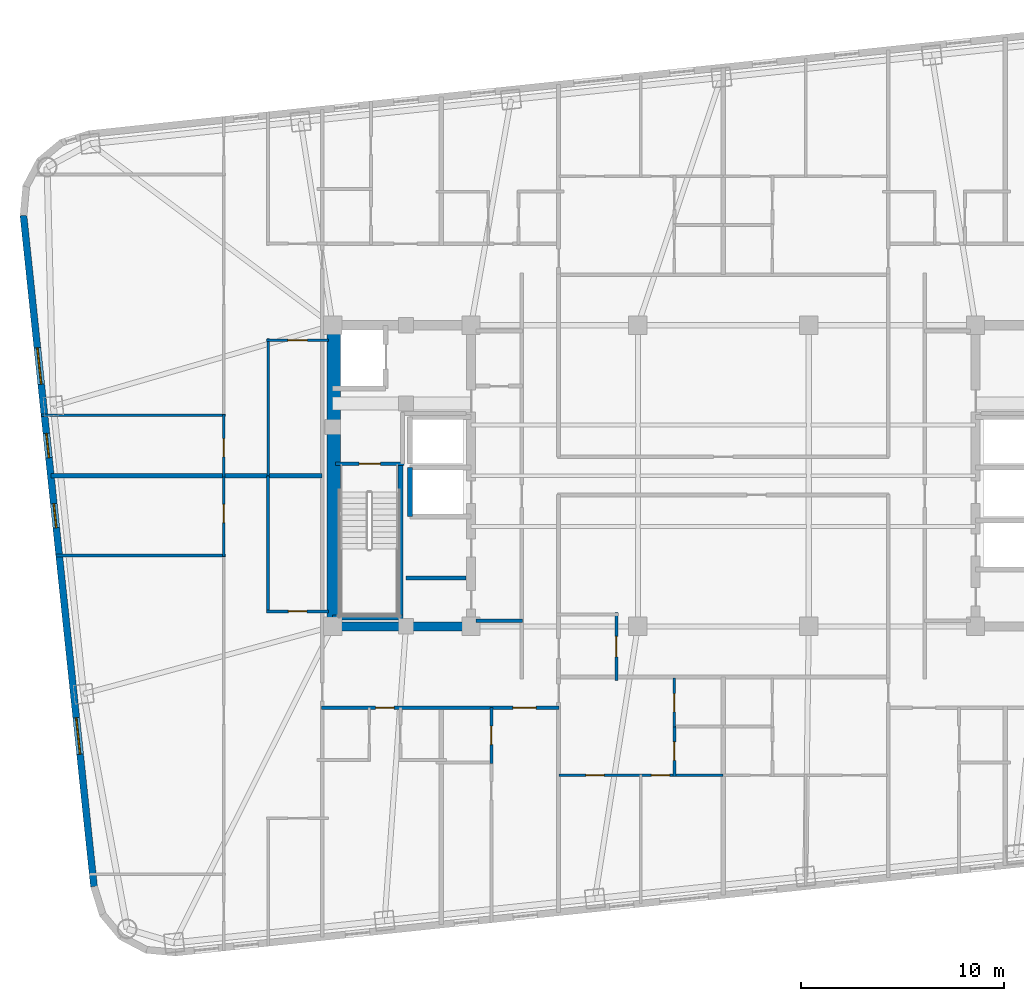
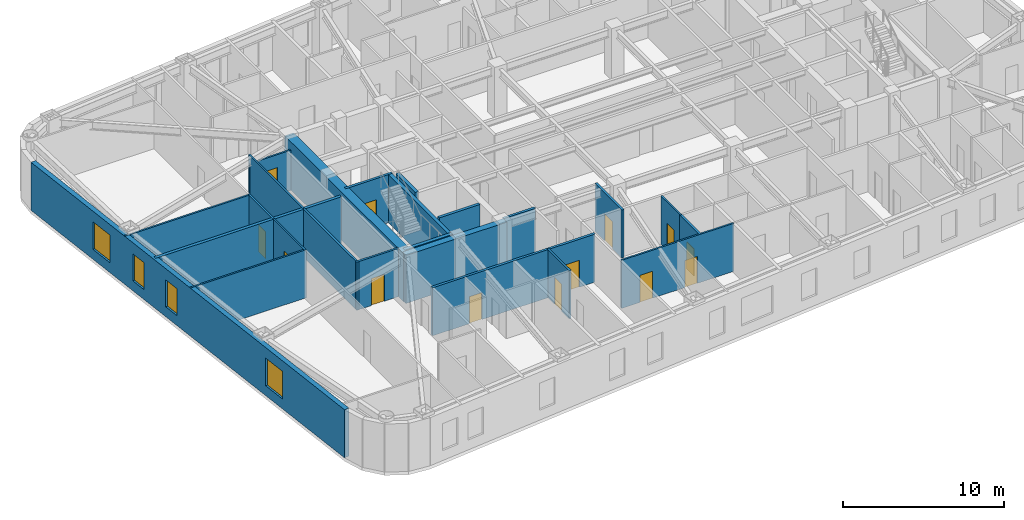
# One storey, part 3 of 12: 24 walls, 13 doors, 4 windows, 17 openings.
"""IFC4 building model written with IfcOpenShell, lengths in metres."""

from ifc_helpers import new_model, si_unit, direction, frame, frame_2d, origin, place, context, subcontext, project, spatial, rectangle, extrude, material, layer, layer_set, type_object, element, fill, save


model = new_model("IFC4")

# Units and contexts
model_context = context("Model", 3, precision=1e-05, world=origin(), true_north=direction((0.0, 1.0)))
body_context = subcontext(model_context, "Body", "Model", "MODEL_VIEW")
ifc_project = project(units=[si_unit("LENGTHUNIT", "METRE"), si_unit("AREAUNIT", "SQUARE_METRE"), si_unit("VOLUMEUNIT", "CUBIC_METRE"), si_unit("PLANEANGLEUNIT", "RADIAN"), si_unit("MASSUNIT", "GRAM", prefix="KILO")], contexts=[model_context])

# Site, building, storey
site_placement = place(None, origin())
site = spatial("IfcSite", under=ifc_project, at=site_placement, CompositionType="ELEMENT")
building_placement = place(site_placement, origin())
building = spatial("IfcBuilding", under=site, at=building_placement, Name="Voryun Gate Residences", CompositionType="ELEMENT")
storey_placement = place(building_placement, frame((0.0, 0.0, 152.10009765625)))
storey = spatial("IfcBuildingStorey", under=building, at=storey_placement, Name="L37", CompositionType="ELEMENT", Elevation=152.10009765625)

# Walls
ifc_material_1 = material(Name="Concrete C50/60", Category="concrete")
ifc_layer_1 = layer(ifc_material_1, 0.449951171875, Name="CW_CORE_450")
ifc_layer_set_1 = layer_set([ifc_layer_1], Name="Concrete C50/60")
wall_type_1 = type_object("IfcWallType", Name="CW_CORE_450", PredefinedType="SHEAR", material=ifc_layer_set_1)
wall_1_placement = place(storey_placement, frame((-19.425048828125, -7.39990234375, 0.0), z_axis=(0.0, 0.0, 1.0), x_axis=(1.0, 0.0, 0.0)))
element("IfcWall", 1, at=wall_1_placement, inside=storey, type_object=wall_type_1, Name="L37 Core shear wall CW-L37-WS", PredefinedType="SHEAR", context=body_context, shape_type="SweptSolid", body=[
    extrude(rectangle(XDim=7.25, YDim=0.449951171875, at=frame_2d((3.625, 0.0))), origin(), (0.0, 0.0, 1.0), 3.64990234375),
])
ifc_material_2 = material(Name="Concrete C60/75", Category="concrete")
ifc_layer_2 = layer(ifc_material_2, 0.64990234375, Name="CW_CORE_650")
ifc_layer_set_2 = layer_set([ifc_layer_2], Name="Concrete C60/75")
wall_type_2 = type_object("IfcWallType", Name="CW_CORE_650", PredefinedType="SHEAR", material=ifc_layer_set_2)
wall_2_placement = place(storey_placement, frame((-19.14501953125, -7.39990234375, 0.0), z_axis=(0.0, 0.0, 1.0), x_axis=(0.0, 1.0, 0.0)))
element("IfcWall", 2, at=wall_2_placement, inside=storey, type_object=wall_type_2, Name="L37 Core shear wall CW-L37-WW", PredefinedType="SHEAR", context=body_context, shape_type="SweptSolid", body=[
    extrude(rectangle(XDim=14.7998046875, YDim=0.64990234375, at=frame_2d((7.39990234375, 0.0))), origin(), (0.0, 0.0, 1.0), 3.64990234375),
])

# Wall, opening, door
ifc_material_3 = material(Name="Gypsum acoustic fireboard")
ifc_layer_3 = layer(ifc_material_3, 0.179931640625, Name="W_CORR_RATED_180")
ifc_layer_set_3 = layer_set([ifc_layer_3], Name="Gypsum acoustic fireboard")
wall_type_3 = type_object("IfcWallType", Name="W_CORR_RATED_180", PredefinedType="PARTITIONING", material=ifc_layer_set_3)
wall_3_placement = place(storey_placement, frame((-19.06005859375, 0.60009765625, 0.0), z_axis=(0.0, 0.0, 1.0), x_axis=(1.0, 0.0, 0.0)))
wall_3 = element("IfcWall", 3, at=wall_3_placement, inside=storey, type_object=wall_type_3, Name="Partition wall WP-L37-STV-W", PredefinedType="PARTITIONING", context=body_context, shape_type="SweptSolid", body=[
    extrude(rectangle(XDim=3.360107421875, YDim=0.179931640625, at=frame_2d((1.68017578125, 0.0))), origin(), (0.0, 0.0, 1.0), 3.64990234375),
])
opening_1_placement = place(wall_3_placement, frame((1.155029296875, 0.0, 0.0)))
opening_1 = element("IfcOpeningElement", 4, at=opening_1_placement, cuts=wall_3, Name="Opening D-FD60-1", PredefinedType="OPENING", context=body_context, shape_type="SweptSolid", body=[
    extrude(rectangle(XDim=1.050048828125, YDim=2.050048828125, at=frame_2d((0.52490234375, 1.02490234375))), frame((0.0, 0.099853515625, 0.0), z_axis=(0.0, -1.0, 0.0), x_axis=(1.0, 0.0, 0.0)), (0.0, 0.0, 1.0), 0.199951171875),
])
ifc_material_4 = material(Name="Painted steel fire door", Category="steel")
door_type_1 = type_object("IfcDoorType", Name="DR_FD60_STAIR_1050", OperationType="NOTDEFINED", PredefinedType="DOOR", material=ifc_material_4)
door_1_placement = place(opening_1_placement, origin())
door_1 = element("IfcDoor", 5, at=door_1_placement, inside=storey, type_object=door_type_1, Name="Door DR-L37-ST-W", OperationType="SINGLE_SWING_LEFT", OverallHeight=2.050048828125, OverallWidth=1.050048828125, PredefinedType="DOOR", context=body_context, shape_type="SweptSolid", body=[
    extrude(rectangle(XDim=1.050048828125, YDim=2.050048828125, at=frame_2d((0.52490234375, 1.02490234375))), frame((0.0, 0.02490234375, 0.0), z_axis=(0.0, -1.0, 0.0), x_axis=(1.0, 0.0, 0.0)), (0.0, 0.0, 1.0), 0.050048828125),
])
fill(opening_1, door_1)

# Wall
wall_4_placement = place(storey_placement, frame((-12.14990234375, -7.1201171875, 0.0), z_axis=(0.0, 0.0, 1.0), x_axis=(1.0, 0.0, 0.0)))
element("IfcWall", 6, at=wall_4_placement, inside=storey, type_object=wall_type_3, Name="Partition wall WP-L37-PLBS-W", PredefinedType="PARTITIONING", context=body_context, shape_type="SweptSolid", body=[
    extrude(rectangle(XDim=2.27001953125, YDim=0.179931640625, at=frame_2d((1.135009765625, 0.0))), origin(), (0.0, 0.0, 1.0), 3.64990234375),
])

# Wall, openings, doors
wall_5_placement = place(storey_placement, frame((-19.75, -11.39990234375, 0.0), z_axis=(0.0, 0.0, 1.0), x_axis=(1.0, 0.0, 0.0)))
wall_5 = element("IfcWall", 7, at=wall_5_placement, inside=storey, type_object=wall_type_3, Name="Partition wall WP-L37-SCORR-W", PredefinedType="PARTITIONING", context=body_context, shape_type="SweptSolid", body=[
    extrude(rectangle(XDim=11.669921875, YDim=0.179931640625, at=frame_2d((5.8349609375, 0.0))), origin(), (0.0, 0.0, 1.0), 3.64990234375),
])
opening_2_placement = place(wall_5_placement, frame((2.66357421875, 0.0, 0.0)))
opening_2 = element("IfcOpeningElement", 8, at=opening_2_placement, cuts=wall_5, Name="Opening D-INT-2", PredefinedType="OPENING", context=body_context, shape_type="SweptSolid", body=[
    extrude(rectangle(XDim=0.89990234375, YDim=2.050048828125, at=frame_2d((0.449951171875, 1.02490234375))), frame((0.0, 0.099853515625, 0.0), z_axis=(0.0, -1.0, 0.0), x_axis=(1.0, 0.0, 0.0)), (0.0, 0.0, 1.0), 0.199951171875),
])
opening_3_placement = place(wall_5_placement, frame((9.404052734375, 0.0, 0.0)))
opening_3 = element("IfcOpeningElement", 9, at=opening_3_placement, cuts=wall_5, Name="Opening D-UNIT-1", PredefinedType="OPENING", context=body_context, shape_type="SweptSolid", body=[
    extrude(rectangle(XDim=1.14990234375, YDim=2.050048828125, at=frame_2d((0.574951171875, 1.02490234375))), frame((0.0, 0.099853515625, 0.0), z_axis=(0.0, -1.0, 0.0), x_axis=(1.0, 0.0, 0.0)), (0.0, 0.0, 1.0), 0.199951171875),
])
ifc_material_5 = material(Name="Architectural oak veneer")
door_type_2 = type_object("IfcDoorType", Name="DR_INT_BATH_900", OperationType="NOTDEFINED", PredefinedType="DOOR", material=ifc_material_5)
door_2_placement = place(opening_2_placement, origin())
door_2 = element("IfcDoor", 10, at=door_2_placement, inside=storey, type_object=door_type_2, Name="Door DR-L37-SENT-1", OperationType="SINGLE_SWING_RIGHT", OverallHeight=2.050048828125, OverallWidth=0.89990234375, PredefinedType="DOOR", context=body_context, shape_type="SweptSolid", body=[
    extrude(rectangle(XDim=0.89990234375, YDim=2.050048828125, at=frame_2d((0.449951171875, 1.02490234375))), frame((0.0, 0.02490234375, 0.0), z_axis=(0.0, -1.0, 0.0), x_axis=(1.0, 0.0, 0.0)), (0.0, 0.0, 1.0), 0.050048828125),
])
fill(opening_2, door_2)
ifc_material_6 = material(Name="Armoured timber-clad fire door", Category="wood")
door_type_3 = type_object("IfcDoorType", Name="DR_UNIT_ENTRY_1150", OperationType="NOTDEFINED", PredefinedType="DOOR", material=ifc_material_6)
door_3_placement = place(opening_3_placement, origin())
door_3 = element("IfcDoor", 11, at=door_3_placement, inside=storey, type_object=door_type_3, Name="Door DR-L37-SENT-2", OperationType="SINGLE_SWING_LEFT", OverallHeight=2.050048828125, OverallWidth=1.14990234375, PredefinedType="DOOR", context=body_context, shape_type="SweptSolid", body=[
    extrude(rectangle(XDim=1.14990234375, YDim=2.050048828125, at=frame_2d((0.574951171875, 1.02490234375))), frame((0.0, 0.02490234375, 0.0), z_axis=(0.0, -1.0, 0.0), x_axis=(1.0, 0.0, 0.0)), (0.0, 0.0, 1.0), 0.050048828125),
])
fill(opening_3, door_3)

# Wall, openings, windows
ifc_material_7 = material(Name="Charcoal terracotta masonry", Category="masonry")
ifc_layer_4 = layer(ifc_material_7, 0.340087890625, Name="W_EXT_TERRACOTTA_340")
ifc_layer_set_4 = layer_set([ifc_layer_4], Name="Charcoal terracotta masonry")
wall_type_4 = type_object("IfcWallType", Name="W_EXT_TERRACOTTA_340", PredefinedType="ELEMENTEDWALL", material=ifc_layer_set_4)
wall_6_placement = place(storey_placement, frame((-30.934326171875, -20.189697265625, 0.0), z_axis=(0.0, 0.0, 1.0), x_axis=(-0.10452691388, 0.994522058214, 0.0)))
wall_6 = element("IfcWall", 12, at=wall_6_placement, inside=storey, type_object=wall_type_4, Name="Exterior wall WEXT-L37-06", PredefinedType="ELEMENTEDWALL", context=body_context, shape_type="SweptSolid", body=[
    extrude(rectangle(XDim=33.16650390625, YDim=0.340087890625, at=frame_2d((16.583251953125, 0.0))), origin(), (0.0, 0.0, 1.0), 3.64990234375),
])
opening_4_placement = place(wall_6_placement, frame((6.54150390625, 0.0, 0.75)))
opening_4 = element("IfcOpeningElement", 13, at=opening_4_placement, cuts=wall_6, Name="Opening WN1", PredefinedType="OPENING", context=body_context, shape_type="SweptSolid", body=[
    extrude(rectangle(XDim=1.800048828125, YDim=2.10009765625, at=frame_2d((0.89990234375, 1.050048828125))), frame((0.0, 0.179931640625, 0.0), z_axis=(0.0, -1.0, 0.0), x_axis=(1.0, 0.0, 0.0)), (0.0, 0.0, 1.0), 0.360107421875),
])
opening_5_placement = place(wall_6_placement, frame((24.824951171875, 0.0, 0.75)))
opening_5 = element("IfcOpeningElement", 14, at=opening_5_placement, cuts=wall_6, Name="Opening WN1", PredefinedType="OPENING", context=body_context, shape_type="SweptSolid", body=[
    extrude(rectangle(XDim=1.800048828125, YDim=2.10009765625, at=frame_2d((0.89990234375, 1.050048828125))), frame((0.0, 0.179931640625, 0.0), z_axis=(0.0, -1.0, 0.0), x_axis=(1.0, 0.0, 0.0)), (0.0, 0.0, 1.0), 0.360107421875),
])
opening_6_placement = place(wall_6_placement, frame((17.728759765625, 0.0, 0.75)))
opening_6 = element("IfcOpeningElement", 15, at=opening_6_placement, cuts=wall_6, Name="Opening WN6", PredefinedType="OPENING", context=body_context, shape_type="SweptSolid", body=[
    extrude(rectangle(XDim=1.199951171875, YDim=2.050048828125, at=frame_2d((0.60009765625, 1.02490234375))), frame((0.0, 0.179931640625, 0.0), z_axis=(0.0, -1.0, 0.0), x_axis=(1.0, 0.0, 0.0)), (0.0, 0.0, 1.0), 0.360107421875),
])
opening_7_placement = place(wall_6_placement, frame((21.194091796875, 0.0, 0.75)))
opening_7 = element("IfcOpeningElement", 16, at=opening_7_placement, cuts=wall_6, Name="Opening WN6", PredefinedType="OPENING", context=body_context, shape_type="SweptSolid", body=[
    extrude(rectangle(XDim=1.199951171875, YDim=2.050048828125, at=frame_2d((0.60009765625, 1.02490234375))), frame((0.0, 0.179931640625, 0.0), z_axis=(0.0, -1.0, 0.0), x_axis=(1.0, 0.0, 0.0)), (0.0, 0.0, 1.0), 0.360107421875),
])
ifc_material_8 = material(Name="Laminated low-E glass", Category="glass")
window_type_1 = type_object("IfcWindowType", Name="WN_POD_SLOT_1200", PartitioningType="SINGLE_PANEL", PredefinedType="WINDOW", material=ifc_material_8)
window_1_placement = place(opening_6_placement, origin())
window_1 = element("IfcWindow", 17, at=window_1_placement, inside=storey, type_object=window_type_1, Name="Window WN-L37-DWFIX-21", OverallHeight=2.050048828125, OverallWidth=1.199951171875, PartitioningType="SINGLE_PANEL", PredefinedType="WINDOW", context=body_context, shape_type="SweptSolid", body=[
    extrude(rectangle(XDim=1.199951171875, YDim=2.050048828125, at=frame_2d((0.60009765625, 1.02490234375))), frame((0.0, 0.030029296875, 0.0), z_axis=(0.0, -1.0, 0.0), x_axis=(1.0, 0.0, 0.0)), (0.0, 0.0, 1.0), 0.06005859375),
])
fill(opening_6, window_1)
window_2_placement = place(opening_7_placement, origin())
window_2 = element("IfcWindow", 18, at=window_2_placement, inside=storey, type_object=window_type_1, Name="Window WN-L37-DWFIX-25", OverallHeight=2.050048828125, OverallWidth=1.199951171875, PartitioningType="SINGLE_PANEL", PredefinedType="WINDOW", context=body_context, shape_type="SweptSolid", body=[
    extrude(rectangle(XDim=1.199951171875, YDim=2.050048828125, at=frame_2d((0.60009765625, 1.02490234375))), frame((0.0, 0.030029296875, 0.0), z_axis=(0.0, -1.0, 0.0), x_axis=(1.0, 0.0, 0.0)), (0.0, 0.0, 1.0), 0.06005859375),
])
fill(opening_7, window_2)
ifc_material_9 = material(Name="Laminated low-E glass", Category="glass")
window_type_2 = type_object("IfcWindowType", Name="WN_RES_PUNCH_1800", PartitioningType="SINGLE_PANEL", PredefinedType="WINDOW", material=ifc_material_9)
window_3_placement = place(opening_4_placement, origin())
window_3 = element("IfcWindow", 19, at=window_3_placement, inside=storey, type_object=window_type_2, Name="Window WN-WEXT-L37-06-01", OverallHeight=2.10009765625, OverallWidth=1.800048828125, PartitioningType="SINGLE_PANEL", PredefinedType="WINDOW", context=body_context, shape_type="SweptSolid", body=[
    extrude(rectangle(XDim=1.800048828125, YDim=2.10009765625, at=frame_2d((0.89990234375, 1.050048828125))), frame((0.0, 0.030029296875, 0.0), z_axis=(0.0, -1.0, 0.0), x_axis=(1.0, 0.0, 0.0)), (0.0, 0.0, 1.0), 0.06005859375),
])
fill(opening_4, window_3)
window_4_placement = place(opening_5_placement, origin())
window_4 = element("IfcWindow", 20, at=window_4_placement, inside=storey, type_object=window_type_2, Name="Window WN-WEXT-L37-06-02", OverallHeight=2.10009765625, OverallWidth=1.800048828125, PartitioningType="SINGLE_PANEL", PredefinedType="WINDOW", context=body_context, shape_type="SweptSolid", body=[
    extrude(rectangle(XDim=1.800048828125, YDim=2.10009765625, at=frame_2d((0.89990234375, 1.050048828125))), frame((0.0, 0.030029296875, 0.0), z_axis=(0.0, -1.0, 0.0), x_axis=(1.0, 0.0, 0.0)), (0.0, 0.0, 1.0), 0.06005859375),
])
fill(opening_5, window_4)

# Walls
ifc_material_10 = material(Name="Concrete C40/50", Category="concrete")
ifc_layer_5 = layer(ifc_material_10, 0.199951171875, Name="W_FF_LOBBY_200")
ifc_layer_set_5 = layer_set([ifc_layer_5], Name="Concrete C40/50")
wall_type_5 = type_object("IfcWallType", Name="W_FF_LOBBY_200", PredefinedType="PARTITIONING", material=ifc_layer_set_5)
wall_7_placement = place(storey_placement, frame((-15.60009765625, -5.030029296875, 0.0), z_axis=(0.0, 0.0, 1.0), x_axis=(1.0, 0.0, 0.0)))
element("IfcWall", 21, at=wall_7_placement, inside=storey, type_object=wall_type_5, Name="Partition wall WP-L37-RECWB", PredefinedType="PARTITIONING", context=body_context, shape_type="SweptSolid", body=[
    extrude(rectangle(XDim=2.940185546875, YDim=0.199951171875, at=frame_2d((1.47021484375, 0.0))), origin(), (0.0, 0.0, 1.0), 3.64990234375),
])
ifc_material_11 = material(Name="Concrete C40/50", Category="concrete")
ifc_layer_6 = layer(ifc_material_11, 0.219970703125, Name="W_PARTY_ACOUSTIC_220")
ifc_layer_set_6 = layer_set([ifc_layer_6], Name="Concrete C40/50")
wall_type_6 = type_object("IfcWallType", Name="W_PARTY_ACOUSTIC_220", PredefinedType="PARTITIONING", material=ifc_layer_set_6)
wall_8_placement = place(storey_placement, frame((-19.719970703125, 0.0, 0.0), z_axis=(0.0, 0.0, 1.0), x_axis=(-1.0, 0.0, 0.0)))
element("IfcWall", 22, at=wall_8_placement, inside=storey, type_object=wall_type_6, Name="Partition wall WP-L37-WPTY", PredefinedType="PARTITIONING", context=body_context, shape_type="SweptSolid", body=[
    extrude(rectangle(XDim=13.33642578125, YDim=0.219970703125, at=frame_2d((6.668212890625, 0.0))), origin(), (0.0, 0.0, 1.0), 3.64990234375),
])
ifc_material_12 = material(Name="Concrete C50/60", Category="concrete")
ifc_layer_7 = layer(ifc_material_12, 0.25, Name="W_SHAFT_RC250")
ifc_layer_set_7 = layer_set([ifc_layer_7], Name="Concrete C50/60")
wall_type_7 = type_object("IfcWallType", Name="W_SHAFT_RC250", PredefinedType="SOLIDWALL", material=ifc_layer_set_7)
wall_9_placement = place(storey_placement, frame((-15.860107421875, -7.0849609375, 0.0), z_axis=(0.0, 0.0, 1.0), x_axis=(0.0, 1.0, 0.0)))
element("IfcWall", 23, at=wall_9_placement, inside=storey, type_object=wall_type_7, Name="L37 Stair shaft structural wall W-STR", PredefinedType="SOLIDWALL", context=body_context, shape_type="SweptSolid", body=[
    extrude(rectangle(XDim=7.68505859375, YDim=0.25, at=frame_2d((3.842529296875, 0.0))), origin(), (0.0, 0.0, 1.0), 3.64990234375),
])
wall_10_placement = place(storey_placement, frame((-19.199951171875, -6.965087890625, 0.0), z_axis=(0.0, 0.0, 1.0), x_axis=(1.0, 0.0, 0.0)))
element("IfcWall", 24, at=wall_10_placement, inside=storey, type_object=wall_type_7, Name="L37 Stair shaft structural wall W-STS", PredefinedType="SOLIDWALL", context=body_context, shape_type="SweptSolid", body=[
    extrude(rectangle(XDim=3.4599609375, YDim=0.25, at=frame_2d((1.72998046875, 0.0))), origin(), (0.0, 0.0, 1.0), 3.64990234375),
])
wall_11_placement = place(storey_placement, frame((-15.39990234375, 0.39990234375, 0.0), z_axis=(0.0, 0.0, 1.0), x_axis=(0.0, -1.0, 0.0)))
element("IfcWall", 25, at=wall_11_placement, inside=storey, type_object=wall_type_7, Name="Lift shaft wall WSH-L37-EL-P4-W", PredefinedType="SOLIDWALL", context=body_context, shape_type="SweptSolid", body=[
    extrude(rectangle(XDim=2.39990234375, YDim=0.25, at=frame_2d((1.199951171875, 0.0))), origin(), (0.0, 0.0, 1.0), 3.64990234375),
])

# Wall, openings, doors
ifc_material_13 = material(Name="Gypsum acoustic partition")
ifc_layer_8 = layer(ifc_material_13, 0.125, Name="W_UNIT_PART_125")
ifc_layer_set_8 = layer_set([ifc_layer_8], Name="Gypsum acoustic partition")
wall_type_8 = type_object("IfcWallType", Name="W_UNIT_PART_125", PredefinedType="PARTITIONING", material=ifc_layer_set_8)
wall_12_placement = place(storey_placement, frame((-8.080078125, -14.72998046875, 0.0), z_axis=(0.0, 0.0, 1.0), x_axis=(1.0, 0.0, 0.0)))
wall_12 = element("IfcWall", 26, at=wall_12_placement, inside=storey, type_object=wall_type_8, Name="Partition wall WP-L37-SC1-HZ", PredefinedType="PARTITIONING", context=body_context, shape_type="SweptSolid", body=[
    extrude(rectangle(XDim=8.06005859375, YDim=0.125, at=frame_2d((4.030029296875, 0.0))), origin(), (0.0, 0.0, 1.0), 3.64990234375),
])
opening_8_placement = place(wall_12_placement, frame((1.3232421875, 0.0, 0.0)))
opening_8 = element("IfcOpeningElement", 27, at=opening_8_placement, cuts=wall_12, Name="Opening D-INT-2", PredefinedType="OPENING", context=body_context, shape_type="SweptSolid", body=[
    extrude(rectangle(XDim=0.89990234375, YDim=2.050048828125, at=frame_2d((0.449951171875, 1.02490234375))), frame((0.0, 0.072509765625, 0.0), z_axis=(0.0, -1.0, 0.0), x_axis=(1.0, 0.0, 0.0)), (0.0, 0.0, 1.0), 0.14501953125),
])
opening_9_placement = place(wall_12_placement, frame((4.547119140625, 0.0, 0.0)))
opening_9 = element("IfcOpeningElement", 28, at=opening_9_placement, cuts=wall_12, Name="Opening D-INT-2", PredefinedType="OPENING", context=body_context, shape_type="SweptSolid", body=[
    extrude(rectangle(XDim=0.89990234375, YDim=2.050048828125, at=frame_2d((0.449951171875, 1.02490234375))), frame((0.0, 0.072509765625, 0.0), z_axis=(0.0, -1.0, 0.0), x_axis=(1.0, 0.0, 0.0)), (0.0, 0.0, 1.0), 0.14501953125),
])
door_4_placement = place(opening_8_placement, origin())
door_4 = element("IfcDoor", 29, at=door_4_placement, inside=storey, type_object=door_type_2, Name="Door DR-L37-SC1-DMB", OperationType="SINGLE_SWING_LEFT", OverallHeight=2.050048828125, OverallWidth=0.89990234375, PredefinedType="DOOR", context=body_context, shape_type="SweptSolid", body=[
    extrude(rectangle(XDim=0.89990234375, YDim=2.050048828125, at=frame_2d((0.449951171875, 1.02490234375))), frame((0.0, 0.02490234375, 0.0), z_axis=(0.0, -1.0, 0.0), x_axis=(1.0, 0.0, 0.0)), (0.0, 0.0, 1.0), 0.050048828125),
])
fill(opening_8, door_4)
door_5_placement = place(opening_9_placement, origin())
door_5 = element("IfcDoor", 30, at=door_5_placement, inside=storey, type_object=door_type_2, Name="Door DR-L37-SC1-DBD2", OperationType="SINGLE_SWING_RIGHT", OverallHeight=2.050048828125, OverallWidth=0.89990234375, PredefinedType="DOOR", context=body_context, shape_type="SweptSolid", body=[
    extrude(rectangle(XDim=0.89990234375, YDim=2.050048828125, at=frame_2d((0.449951171875, 1.02490234375))), frame((0.0, 0.02490234375, 0.0), z_axis=(0.0, -1.0, 0.0), x_axis=(1.0, 0.0, 0.0)), (0.0, 0.0, 1.0), 0.050048828125),
])
fill(opening_9, door_5)

# Wall, opening, door
wall_13_placement = place(storey_placement, frame((-2.409912109375, -12.360107421875, 0.0), z_axis=(0.0, 0.0, 1.0), x_axis=(0.0, 1.0, 0.0)))
wall_13 = element("IfcWall", 31, at=wall_13_placement, inside=storey, type_object=wall_type_8, Name="Partition wall WP-L37-SC1-VK1", PredefinedType="PARTITIONING", context=body_context, shape_type="SweptSolid", body=[
    extrude(rectangle(XDim=2.41015625, YDim=0.125, at=frame_2d((1.205078125, 0.0))), origin(), (0.0, 0.0, 1.0), 3.64990234375),
])
opening_10_placement = place(wall_13_placement, frame((0.7548828125, 0.0, 0.0)))
opening_10 = element("IfcOpeningElement", 32, at=opening_10_placement, cuts=wall_13, Name="Opening D-INT-2", PredefinedType="OPENING", context=body_context, shape_type="SweptSolid", body=[
    extrude(rectangle(XDim=0.89990234375, YDim=2.050048828125, at=frame_2d((0.449951171875, 1.02490234375))), frame((0.0, 0.072509765625, 0.0), z_axis=(0.0, -1.0, 0.0), x_axis=(1.0, 0.0, 0.0)), (0.0, 0.0, 1.0), 0.14501953125),
])
door_6_placement = place(opening_10_placement, origin())
door_6 = element("IfcDoor", 33, at=door_6_placement, inside=storey, type_object=door_type_2, Name="Door DR-L37-SC1-DK", OperationType="SINGLE_SWING_LEFT", OverallHeight=2.050048828125, OverallWidth=0.89990234375, PredefinedType="DOOR", context=body_context, shape_type="SweptSolid", body=[
    extrude(rectangle(XDim=0.89990234375, YDim=2.050048828125, at=frame_2d((0.449951171875, 1.02490234375))), frame((0.0, 0.02490234375, 0.0), z_axis=(0.0, -1.0, 0.0), x_axis=(1.0, 0.0, 0.0)), (0.0, 0.0, 1.0), 0.050048828125),
])
fill(opening_10, door_6)

# Wall
wall_14_placement = place(storey_placement, frame((-32.79541015625, -3.91796875, 0.0), z_axis=(0.0, 0.0, 1.0), x_axis=(1.0, 0.0, 0.0)))
element("IfcWall", 34, at=wall_14_placement, inside=storey, type_object=wall_type_8, Name="Partition wall WP-L37-W1-OH2", PredefinedType="PARTITIONING", context=body_context, shape_type="SweptSolid", body=[
    extrude(rectangle(XDim=8.325439453125, YDim=0.125, at=frame_2d((4.16259765625, 0.0))), origin(), (0.0, 0.0, 1.0), 3.64990234375),
])

# Wall, opening, door
wall_15_placement = place(storey_placement, frame((-24.550048828125, -3.968017578125, 0.0), z_axis=(0.0, 0.0, 1.0), x_axis=(0.0, 1.0, 0.0)))
wall_15 = element("IfcWall", 35, at=wall_15_placement, inside=storey, type_object=wall_type_8, Name="Partition wall WP-L37-W1-OVX3", PredefinedType="PARTITIONING", context=body_context, shape_type="SweptSolid", body=[
    extrude(rectangle(XDim=4.030517578125, YDim=0.125, at=frame_2d((2.01513671875, 0.0))), origin(), (0.0, 0.0, 1.0), 3.64990234375),
])
opening_11_placement = place(wall_15_placement, frame((1.6640625, 0.0, 0.0)))
opening_11 = element("IfcOpeningElement", 36, at=opening_11_placement, cuts=wall_15, Name="Opening D-INT-2", PredefinedType="OPENING", context=body_context, shape_type="SweptSolid", body=[
    extrude(rectangle(XDim=0.89990234375, YDim=2.050048828125, at=frame_2d((0.449951171875, 1.02490234375))), frame((0.0, 0.072509765625, 0.0), z_axis=(0.0, -1.0, 0.0), x_axis=(1.0, 0.0, 0.0)), (0.0, 0.0, 1.0), 0.14501953125),
])
door_7_placement = place(opening_11_placement, origin())
door_7 = element("IfcDoor", 37, at=door_7_placement, inside=storey, type_object=door_type_2, Name="Door DR-L37-W1-DMB", OperationType="SINGLE_SWING_LEFT", OverallHeight=2.050048828125, OverallWidth=0.89990234375, PredefinedType="DOOR", context=body_context, shape_type="SweptSolid", body=[
    extrude(rectangle(XDim=0.89990234375, YDim=2.050048828125, at=frame_2d((0.449951171875, 1.02490234375))), frame((0.0, 0.02490234375, 0.0), z_axis=(0.0, -1.0, 0.0), x_axis=(1.0, 0.0, 0.0)), (0.0, 0.0, 1.0), 0.050048828125),
])
fill(opening_11, door_7)

# Wall
wall_16_placement = place(storey_placement, frame((-33.519775390625, 2.97509765625, 0.0), z_axis=(0.0, 0.0, 1.0), x_axis=(1.0, 0.0, 0.0)))
element("IfcWall", 38, at=wall_16_placement, inside=storey, type_object=wall_type_8, Name="Partition wall WP-L37-W2-OH1", PredefinedType="PARTITIONING", context=body_context, shape_type="SweptSolid", body=[
    extrude(rectangle(XDim=9.0498046875, YDim=0.125, at=frame_2d((4.52490234375, 0.0))), origin(), (0.0, 0.0, 1.0), 3.64990234375),
])

# Wall, opening, door
wall_17_placement = place(storey_placement, frame((-24.550048828125, -0.0625, 0.0), z_axis=(0.0, 0.0, 1.0), x_axis=(0.0, 1.0, 0.0)))
wall_17 = element("IfcWall", 39, at=wall_17_placement, inside=storey, type_object=wall_type_8, Name="Partition wall WP-L37-W2-OVX1", PredefinedType="PARTITIONING", context=body_context, shape_type="SweptSolid", body=[
    extrude(rectangle(XDim=3.08740234375, YDim=0.125, at=frame_2d((1.543701171875, 0.0))), origin(), (0.0, 0.0, 1.0), 3.64990234375),
])
opening_12_placement = place(wall_17_placement, frame((0.9951171875, 0.0, 0.0)))
opening_12 = element("IfcOpeningElement", 40, at=opening_12_placement, cuts=wall_17, Name="Opening D-INT-2", PredefinedType="OPENING", context=body_context, shape_type="SweptSolid", body=[
    extrude(rectangle(XDim=0.89990234375, YDim=2.050048828125, at=frame_2d((0.449951171875, 1.02490234375))), frame((0.0, 0.072509765625, 0.0), z_axis=(0.0, -1.0, 0.0), x_axis=(1.0, 0.0, 0.0)), (0.0, 0.0, 1.0), 0.14501953125),
])
door_8_placement = place(opening_12_placement, origin())
door_8 = element("IfcDoor", 41, at=door_8_placement, inside=storey, type_object=door_type_2, Name="Door DR-L37-W2-DBD2", OperationType="SINGLE_SWING_LEFT", OverallHeight=2.050048828125, OverallWidth=0.89990234375, PredefinedType="DOOR", context=body_context, shape_type="SweptSolid", body=[
    extrude(rectangle(XDim=0.89990234375, YDim=2.050048828125, at=frame_2d((0.449951171875, 1.02490234375))), frame((0.0, 0.02490234375, 0.0), z_axis=(0.0, -1.0, 0.0), x_axis=(1.0, 0.0, 0.0)), (0.0, 0.0, 1.0), 0.050048828125),
])
fill(opening_12, door_8)

wall_18_placement = place(storey_placement, frame((-22.449951171875, 6.659912109375, 0.0), z_axis=(0.0, 0.0, 1.0), x_axis=(1.0, 0.0, 0.0)))
wall_18 = element("IfcWall", 42, at=wall_18_placement, inside=storey, type_object=wall_type_8, Name="Partition wall WP-L37-W2-IKA", PredefinedType="PARTITIONING", context=body_context, shape_type="SweptSolid", body=[
    extrude(rectangle(XDim=3.050048828125, YDim=0.125, at=frame_2d((1.52490234375, 0.0))), origin(), (0.0, 0.0, 1.0), 3.039794921875),
])
opening_13_placement = place(wall_18_placement, frame((1.050048828125, 0.0, 0.0)))
opening_13 = element("IfcOpeningElement", 43, at=opening_13_placement, cuts=wall_18, Name="Opening D-INT-1", PredefinedType="OPENING", context=body_context, shape_type="SweptSolid", body=[
    extrude(rectangle(XDim=0.949951171875, YDim=2.050048828125, at=frame_2d((0.47509765625, 1.02490234375))), frame((0.0, 0.072509765625, 0.0), z_axis=(0.0, -1.0, 0.0), x_axis=(1.0, 0.0, 0.0)), (0.0, 0.0, 1.0), 0.14501953125),
])
ifc_material_14 = material(Name="Architectural oak veneer")
door_type_4 = type_object("IfcDoorType", Name="DR_INT_ROOM_950", OperationType="NOTDEFINED", PredefinedType="DOOR", material=ifc_material_14)
door_9_placement = place(opening_13_placement, origin())
door_9 = element("IfcDoor", 44, at=door_9_placement, inside=storey, type_object=door_type_4, Name="Door DR-L37-W2-DK", OperationType="SINGLE_SWING_LEFT", OverallHeight=2.050048828125, OverallWidth=0.949951171875, PredefinedType="DOOR", context=body_context, shape_type="SweptSolid", body=[
    extrude(rectangle(XDim=0.949951171875, YDim=2.050048828125, at=frame_2d((0.47509765625, 1.02490234375))), frame((0.0, 0.02490234375, 0.0), z_axis=(0.0, -1.0, 0.0), x_axis=(1.0, 0.0, 0.0)), (0.0, 0.0, 1.0), 0.050048828125),
])
fill(opening_13, door_9)

# Wall
wall_19_placement = place(storey_placement, frame((-22.3701171875, 0.02001953125, 0.0), z_axis=(0.0, 0.0, 1.0), x_axis=(0.0, 1.0, 0.0)))
element("IfcWall", 45, at=wall_19_placement, inside=storey, type_object=wall_type_8, Name="Partition wall WP-L37-W2-VTA", PredefinedType="PARTITIONING", context=body_context, shape_type="SweptSolid", body=[
    extrude(rectangle(XDim=6.719970703125, YDim=0.125, at=frame_2d((3.35986328125, 0.0))), origin(), (0.0, 0.0, 1.0), 3.64990234375),
])

# Wall, opening, door
ifc_material_15 = material(Name="Gypsum moisture-resistant partition")
ifc_layer_9 = layer(ifc_material_15, 0.14990234375, Name="W_WET_PLUMB_150")
ifc_layer_set_9 = layer_set([ifc_layer_9], Name="Gypsum moisture-resistant partition")
wall_type_9 = type_object("IfcWallType", Name="W_WET_PLUMB_150", PredefinedType="PLUMBINGWALL", material=ifc_layer_set_9)
wall_20_placement = place(storey_placement, frame((-5.260009765625, -10.070068359375, 0.0), z_axis=(0.0, 0.0, 1.0), x_axis=(0.0, 1.0, 0.0)))
wall_20 = element("IfcWall", 46, at=wall_20_placement, inside=storey, type_object=wall_type_9, Name="Partition wall WP-L37-CMWCX", PredefinedType="PLUMBINGWALL", context=body_context, shape_type="SweptSolid", body=[
    extrude(rectangle(XDim=3.35009765625, YDim=0.14990234375, at=frame_2d((1.675048828125, 0.0))), origin(), (0.0, 0.0, 1.0), 3.64990234375),
])
opening_14_placement = place(wall_20_placement, frame((1.175048828125, 0.0, 0.0)))
opening_14 = element("IfcOpeningElement", 47, at=opening_14_placement, cuts=wall_20, Name="Opening D-AWC-1", PredefinedType="OPENING", context=body_context, shape_type="SweptSolid", body=[
    extrude(rectangle(XDim=1.0, YDim=2.050048828125, at=frame_2d((0.5, 1.02490234375))), frame((0.0, 0.0849609375, 0.0), z_axis=(0.0, -1.0, 0.0), x_axis=(1.0, 0.0, 0.0)), (0.0, 0.0, 1.0), 0.169921875),
])
ifc_material_16 = material(Name="Architectural oak veneer")
door_type_5 = type_object("IfcDoorType", Name="DR_ACC_WC_1000", OperationType="NOTDEFINED", PredefinedType="DOOR", material=ifc_material_16)
door_10_placement = place(opening_14_placement, origin())
door_10 = element("IfcDoor", 48, at=door_10_placement, inside=storey, type_object=door_type_5, Name="Door DR-L37-CMWC", OperationType="SINGLE_SWING_LEFT", OverallHeight=2.050048828125, OverallWidth=1.0, PredefinedType="DOOR", context=body_context, shape_type="SweptSolid", body=[
    extrude(rectangle(XDim=1.0, YDim=2.050048828125, at=frame_2d((0.5, 1.02490234375))), frame((0.0, 0.02490234375, 0.0), z_axis=(0.0, -1.0, 0.0), x_axis=(1.0, 0.0, 0.0)), (0.0, 0.0, 1.0), 0.050048828125),
])
fill(opening_14, door_10)

wall_21_placement = place(storey_placement, frame((-11.403076171875, -14.139892578125, 0.0), z_axis=(0.0, 0.0, 1.0), x_axis=(0.0, 1.0, 0.0)))
wall_21 = element("IfcWall", 49, at=wall_21_placement, inside=storey, type_object=wall_type_9, Name="Partition wall WP-L37-S2-SVT2", PredefinedType="PLUMBINGWALL", context=body_context, shape_type="SweptSolid", body=[
    extrude(rectangle(XDim=2.760009765625, YDim=0.14990234375, at=frame_2d((1.3798828125, 0.0))), origin(), (0.0, 0.0, 1.0), 3.64990234375),
])
opening_15_placement = place(wall_21_placement, frame((0.929931640625, 0.0, 0.0)))
opening_15 = element("IfcOpeningElement", 50, at=opening_15_placement, cuts=wall_21, Name="Opening D-INT-2", PredefinedType="OPENING", context=body_context, shape_type="SweptSolid", body=[
    extrude(rectangle(XDim=0.89990234375, YDim=2.050048828125, at=frame_2d((0.449951171875, 1.02490234375))), frame((0.0, 0.0849609375, 0.0), z_axis=(0.0, -1.0, 0.0), x_axis=(1.0, 0.0, 0.0)), (0.0, 0.0, 1.0), 0.169921875),
])
door_11_placement = place(opening_15_placement, origin())
door_11 = element("IfcDoor", 51, at=door_11_placement, inside=storey, type_object=door_type_2, Name="Door DR-L37-S2-DB", OperationType="SINGLE_SWING_RIGHT", OverallHeight=2.050048828125, OverallWidth=0.89990234375, PredefinedType="DOOR", context=body_context, shape_type="SweptSolid", body=[
    extrude(rectangle(XDim=0.89990234375, YDim=2.050048828125, at=frame_2d((0.449951171875, 1.02490234375))), frame((0.0, 0.02490234375, 0.0), z_axis=(0.0, -1.0, 0.0), x_axis=(1.0, 0.0, 0.0)), (0.0, 0.0, 1.0), 0.050048828125),
])
fill(opening_15, door_11)

wall_22_placement = place(storey_placement, frame((-2.409912109375, -14.77001953125, 0.0), z_axis=(0.0, 0.0, 1.0), x_axis=(0.0, 1.0, 0.0)))
wall_22 = element("IfcWall", 52, at=wall_22_placement, inside=storey, type_object=wall_type_9, Name="Partition wall WP-L37-SC1-VK2", PredefinedType="PLUMBINGWALL", context=body_context, shape_type="SweptSolid", body=[
    extrude(rectangle(XDim=2.469970703125, YDim=0.14990234375, at=frame_2d((1.23486328125, 0.0))), origin(), (0.0, 0.0, 1.0), 3.64990234375),
])
opening_16_placement = place(wall_22_placement, frame((0.784912109375, 0.0, 0.0)))
opening_16 = element("IfcOpeningElement", 53, at=opening_16_placement, cuts=wall_22, Name="Opening D-INT-2", PredefinedType="OPENING", context=body_context, shape_type="SweptSolid", body=[
    extrude(rectangle(XDim=0.89990234375, YDim=2.050048828125, at=frame_2d((0.449951171875, 1.02490234375))), frame((0.0, 0.0849609375, 0.0), z_axis=(0.0, -1.0, 0.0), x_axis=(1.0, 0.0, 0.0)), (0.0, 0.0, 1.0), 0.169921875),
])
door_12_placement = place(opening_16_placement, origin())
door_12 = element("IfcDoor", 54, at=door_12_placement, inside=storey, type_object=door_type_2, Name="Door DR-L37-SC1-DB", OperationType="SINGLE_SWING_RIGHT", OverallHeight=2.050048828125, OverallWidth=0.89990234375, PredefinedType="DOOR", context=body_context, shape_type="SweptSolid", body=[
    extrude(rectangle(XDim=0.89990234375, YDim=2.050048828125, at=frame_2d((0.449951171875, 1.02490234375))), frame((0.0, 0.02490234375, 0.0), z_axis=(0.0, -1.0, 0.0), x_axis=(1.0, 0.0, 0.0)), (0.0, 0.0, 1.0), 0.050048828125),
])
fill(opening_16, door_12)

wall_23_placement = place(storey_placement, frame((-22.449951171875, -6.659912109375, 0.0), z_axis=(0.0, 0.0, 1.0), x_axis=(1.0, 0.0, 0.0)))
wall_23 = element("IfcWall", 55, at=wall_23_placement, inside=storey, type_object=wall_type_9, Name="Partition wall WP-L37-W1-IBB", PredefinedType="PLUMBINGWALL", context=body_context, shape_type="SweptSolid", body=[
    extrude(rectangle(XDim=3.050048828125, YDim=0.14990234375, at=frame_2d((1.52490234375, 0.0))), origin(), (0.0, 0.0, 1.0), 3.64990234375),
])
opening_17_placement = place(wall_23_placement, frame((1.074951171875, 0.0, 0.0)))
opening_17 = element("IfcOpeningElement", 56, at=opening_17_placement, cuts=wall_23, Name="Opening D-INT-2", PredefinedType="OPENING", context=body_context, shape_type="SweptSolid", body=[
    extrude(rectangle(XDim=0.89990234375, YDim=2.050048828125, at=frame_2d((0.449951171875, 1.02490234375))), frame((0.0, 0.0849609375, 0.0), z_axis=(0.0, -1.0, 0.0), x_axis=(1.0, 0.0, 0.0)), (0.0, 0.0, 1.0), 0.169921875),
])
door_13_placement = place(opening_17_placement, origin())
door_13 = element("IfcDoor", 57, at=door_13_placement, inside=storey, type_object=door_type_2, Name="Door DR-L37-W1-DB", OperationType="SINGLE_SWING_RIGHT", OverallHeight=2.050048828125, OverallWidth=0.89990234375, PredefinedType="DOOR", context=body_context, shape_type="SweptSolid", body=[
    extrude(rectangle(XDim=0.89990234375, YDim=2.050048828125, at=frame_2d((0.449951171875, 1.02490234375))), frame((0.0, 0.02490234375, 0.0), z_axis=(0.0, -1.0, 0.0), x_axis=(1.0, 0.0, 0.0)), (0.0, 0.0, 1.0), 0.050048828125),
])
fill(opening_17, door_13)

# Wall
wall_24_placement = place(storey_placement, frame((-22.3701171875, -6.739990234375, 0.0), z_axis=(0.0, 0.0, 1.0), x_axis=(0.0, 1.0, 0.0)))
element("IfcWall", 58, at=wall_24_placement, inside=storey, type_object=wall_type_9, Name="Partition wall WP-L37-W1-VTB", PredefinedType="PLUMBINGWALL", context=body_context, shape_type="SweptSolid", body=[
    extrude(rectangle(XDim=6.719970703125, YDim=0.14990234375, at=frame_2d((3.35986328125, 0.0))), origin(), (0.0, 0.0, 1.0), 3.64990234375),
])

save(model, "model.ifc")
